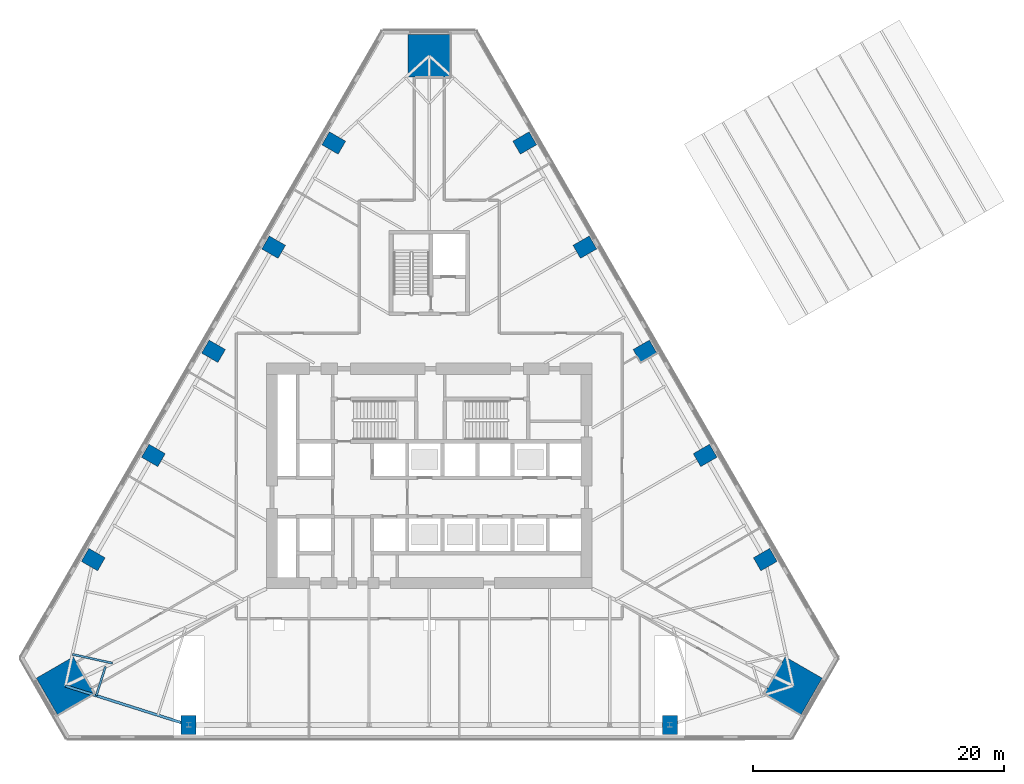
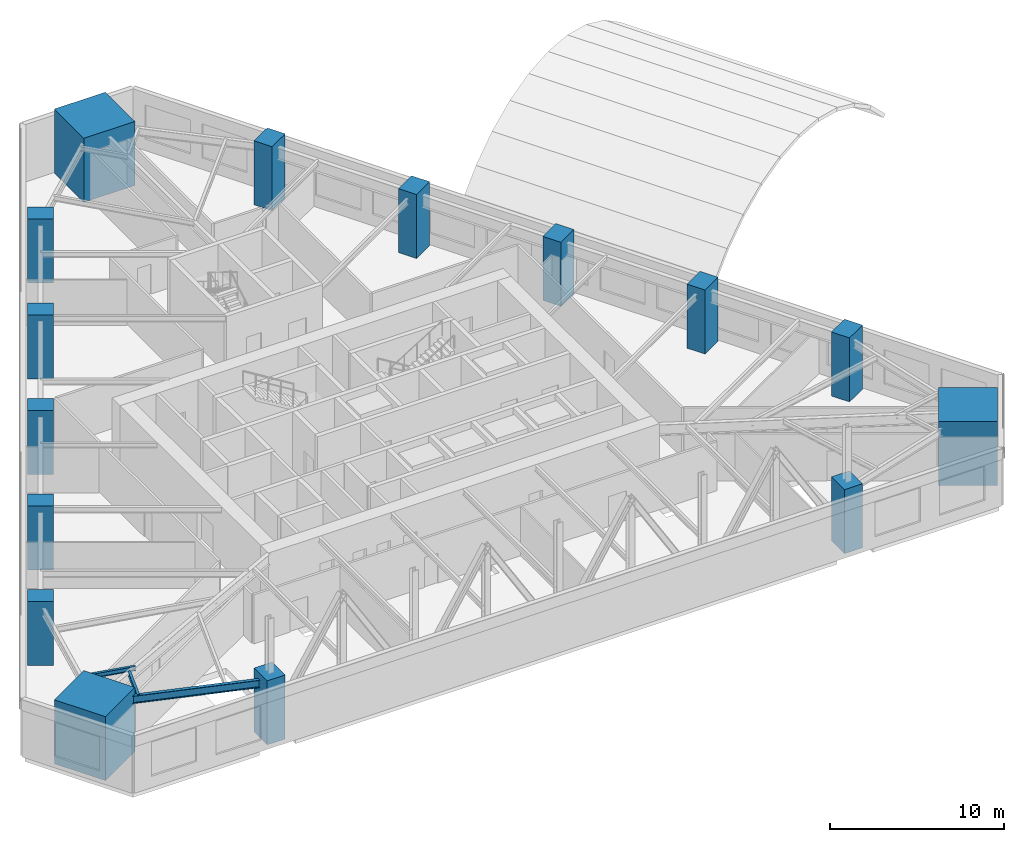
# One storey, part 1 of 11: 15 columns, 3 beams.
"""IFC4 building model written with IfcOpenShell, lengths in metres."""

from ifc_helpers import new_model, si_unit, direction, frame, origin, origin_2d, place, context, subcontext, project, spatial, rectangle, i_section, extrude, material, material_profile, profile_set, type_object, element, save


model = new_model("IFC4")

# Units and contexts
model_context = context("Model", 3, precision=1e-05, world=origin(), true_north=direction((0.0, 1.0)))
body_context = subcontext(model_context, "Body", "Model", "MODEL_VIEW")
ifc_project = project(units=[si_unit("LENGTHUNIT", "METRE"), si_unit("AREAUNIT", "SQUARE_METRE"), si_unit("VOLUMEUNIT", "CUBIC_METRE"), si_unit("PLANEANGLEUNIT", "RADIAN"), si_unit("MASSUNIT", "GRAM", prefix="KILO")], contexts=[model_context])

# Site, building, storey
site_placement = place(None, origin())
site = spatial("IfcSite", under=ifc_project, at=site_placement, CompositionType="ELEMENT")
building_placement = place(site_placement, origin())
building = spatial("IfcBuilding", under=site, at=building_placement, Name="Firuza Gate Tower and Library", CompositionType="ELEMENT")
storey_placement = place(building_placement, frame((0.0, 0.0, 31.0)))
storey = spatial("IfcBuildingStorey", under=building, at=storey_placement, Name="L06", CompositionType="ELEMENT", Elevation=31.0)

# Columns
ifc_material_1 = material(Name="Concrete C80/95", Category="concrete")
ifc_material_profile_1 = material_profile(ifc_material_1, rectangle(XDim=3.39990234375, YDim=3.39990234375, at=origin_2d()))
ifc_profile_set_1 = profile_set([ifc_material_profile_1], Name="Concrete C80/95")
column_type_1 = type_object("IfcColumnType", Name="Mega column 3400x3400 C80/95", PredefinedType="COLUMN", material=ifc_profile_set_1)
for number, where, z_axis, x_axis, name in (
    (1, (104.041259765625, 58.233154296875, 0.0), (0.0, 0.0, 1.0), (0.5, 0.866025403784, 0.0), "Mega column SE L06"),
    (2, (75.0, 108.533935546875, 0.0), (0.0, 0.0, 1.0), (-1.0, 0.0, 0.0), "Mega column N L06"),
    (3, (45.958740234375, 58.233154296875, 0.0), (0.0, 0.0, 1.0), (0.5, -0.866025403784, 0.0), "Mega column SW L06"),
):
    element("IfcColumn", number, at=place(storey_placement, frame(where, z_axis=z_axis, x_axis=x_axis)), inside=storey, type_object=column_type_1, Name=name, PredefinedType="COLUMN", context=body_context, shape_type="SweptSolid", body=[
        extrude(rectangle(XDim=3.39990234375, YDim=3.39990234375, at=origin_2d()), origin(), (0.0, 0.0, 1.0), 4.5),
    ])
ifc_material_2 = material(Name="Concrete C60/75", Category="concrete")
ifc_material_profile_2 = material_profile(ifc_material_2, rectangle(XDim=1.199951171875, YDim=1.5, at=origin_2d()))
ifc_profile_set_2 = profile_set([ifc_material_profile_2], Name="Concrete C60/75")
column_type_2 = type_object("IfcColumnType", Name="Perimeter column 1200x1500 C60/75", PredefinedType="COLUMN", material=ifc_profile_set_2)
for number, where, z_axis, x_axis, name in (
    (4, (55.800048828125, 55.115478515625, -0.00048828125), (0.0, 0.0, 1.0), (1.0, 0.0, 0.0), "Column S1 L06"),
    (5, (94.199951171875, 55.115478515625, -0.00048828125), (0.0, 0.0, 1.0), (1.0, 0.0, 0.0), "Column S5 L06"),
    (6, (101.820556640625, 68.314697265625, -0.00048828125), (0.0, 0.0, 1.0), (-0.5, 0.866025403784, 0.0), "Column E1 L06"),
    (7, (97.0205078125, 76.62841796875, -0.00048828125), (0.0, 0.0, 1.0), (-0.5, 0.866025403784, 0.0), "Column E2 L06"),
    (8, (92.220458984375, 84.9423828125, -0.00048828125), (0.0, 0.0, 1.0), (-0.5, 0.866025403784, 0.0), "Column E3 L06"),
    (9, (87.420654296875, 93.256103515625, -0.00048828125), (0.0, 0.0, 1.0), (-0.5, 0.866025403784, 0.0), "Column E4 L06"),
    (10, (82.62060546875, 101.570068359375, -0.00048828125), (0.0, 0.0, 1.0), (-0.5, 0.866025403784, 0.0), "Column E5 L06"),
    (11, (67.37939453125, 101.570068359375, -0.00048828125), (0.0, 0.0, 1.0), (-0.5, -0.866025403784, 0.0), "Column W1 L06"),
    (12, (62.579345703125, 93.256103515625, -0.00048828125), (0.0, 0.0, 1.0), (-0.5, -0.866025403784, 0.0), "Column W2 L06"),
    (13, (57.779541015625, 84.9423828125, -0.00048828125), (0.0, 0.0, 1.0), (-0.5, -0.866025403784, 0.0), "Column W3 L06"),
    (14, (52.9794921875, 76.62841796875, -0.00048828125), (0.0, 0.0, 1.0), (-0.5, -0.866025403784, 0.0), "Column W4 L06"),
    (15, (48.179443359375, 68.314697265625, -0.00048828125), (0.0, 0.0, 1.0), (-0.5, -0.866025403784, 0.0), "Column W5 L06"),
):
    element("IfcColumn", number, at=place(storey_placement, frame(where, z_axis=z_axis, x_axis=x_axis)), inside=storey, type_object=column_type_2, Name=name, PredefinedType="COLUMN", context=body_context, shape_type="SweptSolid", body=[
        extrude(rectangle(XDim=1.199951171875, YDim=1.5, at=origin_2d()), origin(), (0.0, 0.0, 1.0), 4.50048828125),
    ])

# Beams
ifc_material_3 = material(Name="Steel S355", Category="steel")
ifc_material_profile_3 = material_profile(ifc_material_3, i_section(OverallWidth=0.1650390625, OverallDepth=0.31005859375, WebThickness=0.005859375, FlangeThickness=0.009765625, at=origin_2d()))
ifc_profile_set_3 = profile_set([ifc_material_profile_3], Name="Steel S355")
beam_type_1 = type_object("IfcBeamType", Name="W310x39 Floor beam", PredefinedType="JOIST", material=ifc_profile_set_3)
beam_1_placement = place(storey_placement, frame((46.513916015625, 60.75341796875, 3.89501953125), z_axis=(0.976601243751, -0.215058156564, 0.0), x_axis=(0.215058156564, 0.976601243751, 0.0)))
element("IfcBeam", 16, at=beam_1_placement, inside=storey, type_object=beam_type_1, Name="Floor beam L06 s01", PredefinedType="JOIST", context=body_context, shape_type="SweptSolid", body=[
    extrude(i_section(OverallWidth=0.1650390625, OverallDepth=0.31005859375, WebThickness=0.005859375, FlangeThickness=0.009765625, at=origin_2d()), origin(), (0.0, 0.0, 1.0), 3.27294921875),
])
beam_2_placement = place(storey_placement, frame((48.419189453125, 57.45361328125, 3.89501953125), z_axis=(0.30197349393, 0.953316321566, 0.0), x_axis=(-0.953316321566, 0.30197349393, 0.0)))
element("IfcBeam", 17, at=beam_2_placement, inside=storey, type_object=beam_type_1, Name="Floor beam L06 s10", PredefinedType="JOIST", context=body_context, shape_type="SweptSolid", body=[
    extrude(i_section(OverallWidth=0.1650390625, OverallDepth=0.31005859375, WebThickness=0.005859375, FlangeThickness=0.009765625, at=origin_2d()), origin(), (0.0, 0.0, 1.0), 2.441650390625),
])
ifc_material_4 = material(Name="Steel S355", Category="steel")
ifc_material_profile_4 = material_profile(ifc_material_4, i_section(OverallWidth=0.212890625, OverallDepth=0.5390625, WebThickness=0.01171875, FlangeThickness=0.018798828125, at=origin_2d()))
ifc_profile_set_4 = profile_set([ifc_material_profile_4], Name="Steel S355")
beam_type_2 = type_object("IfcBeamType", Name="W530x109 Edge beam", PredefinedType="SPANDREL", material=ifc_profile_set_4)
beam_3_placement = place(storey_placement, frame((45.958740234375, 58.233154296875, 3.780517578125), z_axis=(0.953307052276, -0.302002755087, 0.0), x_axis=(0.302002755087, 0.953307052276, 0.0)))
element("IfcBeam", 18, at=beam_3_placement, inside=storey, type_object=beam_type_2, Name="Edge beam L06 e10", PredefinedType="SPANDREL", context=body_context, shape_type="SweptSolid", body=[
    extrude(i_section(OverallWidth=0.212890625, OverallDepth=0.5390625, WebThickness=0.01171875, FlangeThickness=0.018798828125, at=origin_2d()), origin(), (0.0, 0.0, 1.0), 10.3232421875),
])

save(model, "model.ifc")
